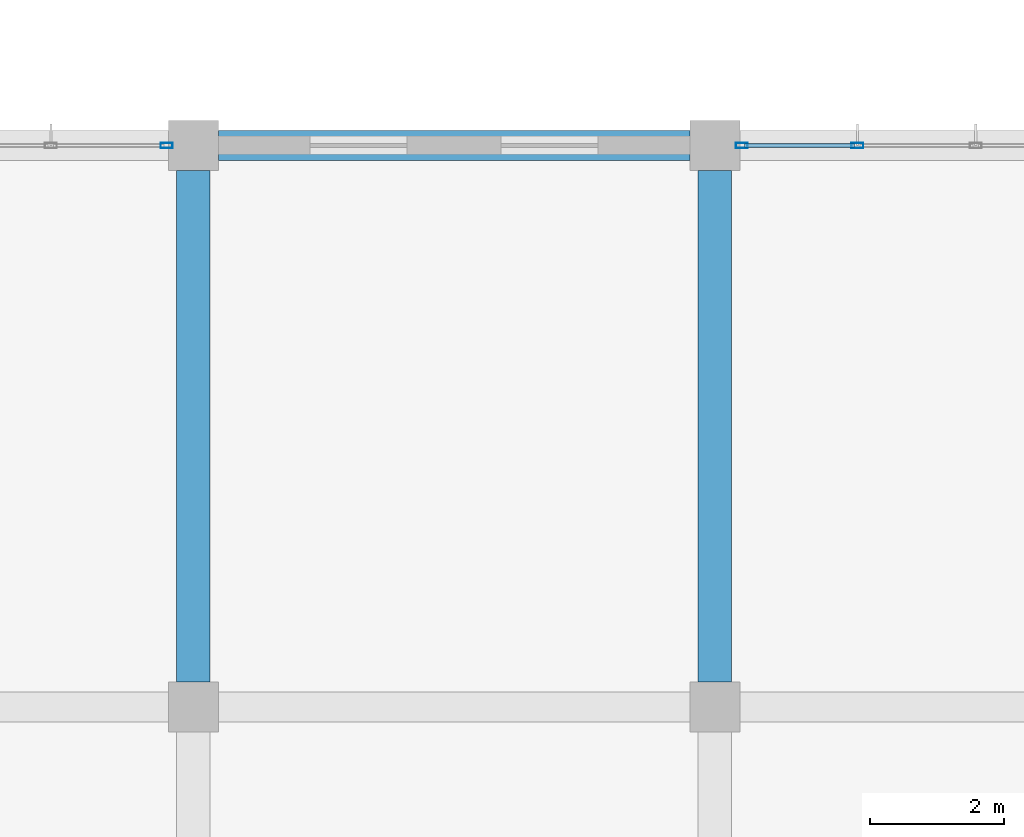
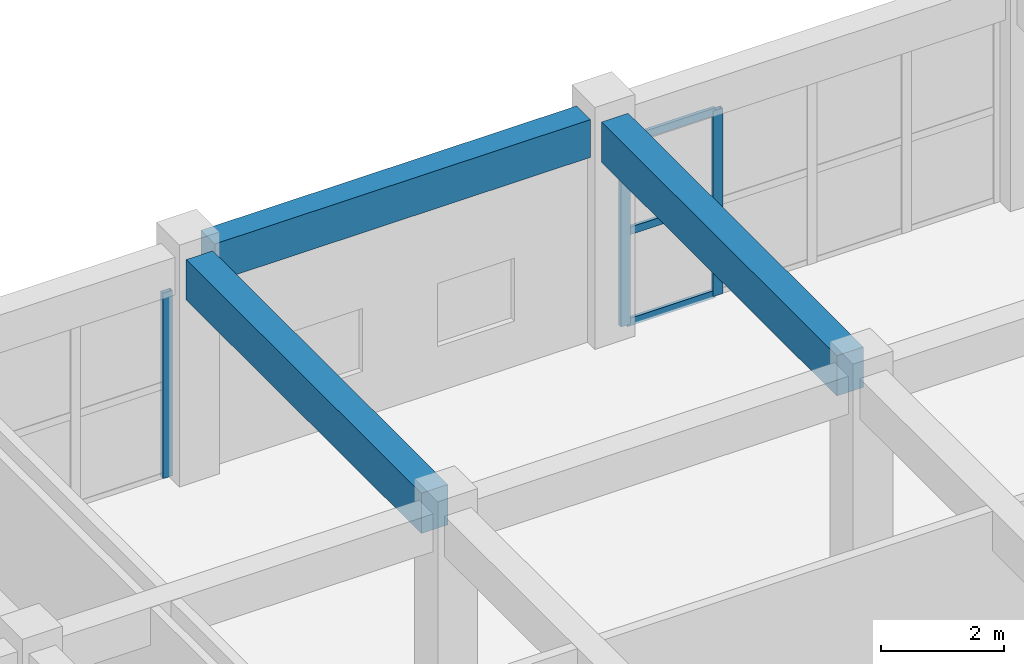
# One storey, part 126 of 175: 6 members, 3 beams, 2 elements without a shape of their own.
"""IFC4 building model written with IfcOpenShell, lengths in metres."""

from ifc_helpers import new_model, si_unit, direction, frame, origin, origin_2d, place, context, subcontext, project, spatial, rectangle, hollow_rectangle, extrude, material, layer, layer_set, material_profile, profile_set, type_object, element, aggregate, save


model = new_model("IFC4")

# Units and contexts
model_context = context("Model", 3, precision=1e-05, world=origin(), true_north=direction((0.0, 1.0)))
body_context = subcontext(model_context, "Body", "Model", "MODEL_VIEW")
ifc_project = project(units=[si_unit("LENGTHUNIT", "METRE"), si_unit("AREAUNIT", "SQUARE_METRE"), si_unit("VOLUMEUNIT", "CUBIC_METRE"), si_unit("PLANEANGLEUNIT", "RADIAN"), si_unit("MASSUNIT", "GRAM", prefix="KILO")], contexts=[model_context])

# Site, building, storey
site_placement = place(None, origin())
site = spatial("IfcSite", under=ifc_project, at=site_placement, CompositionType="ELEMENT")
building_placement = place(site_placement, origin())
building = spatial("IfcBuilding", under=site, at=building_placement, Name="Zizhar Promenade General Hospital", CompositionType="ELEMENT")
storey_placement = place(building_placement, frame((0.0, 0.0, 4.800048828125)))
storey = spatial("IfcBuildingStorey", under=building, at=storey_placement, Name="L01", CompositionType="ELEMENT", Elevation=4.800048828125)

# Beams
ifc_material_1 = material(Name="Concrete C35/45", Category="concrete")
ifc_material_profile_1 = material_profile(ifc_material_1, rectangle(XDim=0.449951171875, YDim=0.75, at=origin_2d()))
ifc_profile_set_1 = profile_set([ifc_material_profile_1], Name="Concrete C35/45")
beam_type_1 = type_object("IfcBeamType", Name="BM-RC-450x750", PredefinedType="BEAM", material=ifc_profile_set_1)
beam_placement = place(storey_placement, frame((93.97509765625, 134.39990234375, 4.094970703125), z_axis=(1.0, 0.0, 0.0), x_axis=(0.0, 1.0, 0.0)))
element("IfcBeam", 1, at=beam_placement, inside=storey, type_object=beam_type_1, Name="Grid Beam X L01 (12-16)", PredefinedType="BEAM", context=body_context, shape_type="SweptSolid", body=[
    extrude(rectangle(XDim=0.449951171875, YDim=0.75, at=origin_2d()), origin(), (0.0, 0.0, 1.0), 7.0498046875),
])
ifc_material_2 = material(Name="Concrete C35/45", Category="concrete")
ifc_material_profile_2 = material_profile(ifc_material_2, rectangle(XDim=0.5, YDim=0.800048828125, at=origin_2d()))
ifc_profile_set_2 = profile_set([ifc_material_profile_2], Name="Concrete C35/45")
beam_type_2 = type_object("IfcBeamType", Name="BM-RC-500x800", PredefinedType="BEAM", material=ifc_profile_set_2)
for number, where, z_axis, x_axis, name in (
    (2, (93.60009765625, 126.375, 4.070068359375), (0.0, 1.0, 0.0), (-1.0, 0.0, 0.0), "Grid Beam Y L01 (12-15)"),
    (3, (101.39990234375, 126.375, 4.070068359375), (0.0, 1.0, 0.0), (-1.0, 0.0, 0.0), "Grid Beam Y L01 (13-15)"),
):
    element("IfcBeam", number, at=place(storey_placement, frame(where, z_axis=z_axis, x_axis=x_axis)), inside=storey, type_object=beam_type_2, Name=name, PredefinedType="BEAM", context=body_context, shape_type="SweptSolid", body=[
        extrude(rectangle(XDim=0.5, YDim=0.800048828125, at=origin_2d()), origin(), (0.0, 0.0, 1.0), 7.64990234375),
    ])

# Curtain wall, member
ifc_material_3 = material(Name="Anodised aluminium 6063-T6 and low-E glass", Category="aluminium")
ifc_layer = layer(ifc_material_3, 0.159912109375)
ifc_layer_set = layer_set([ifc_layer], Name="Anodised aluminium 6063-T6 and low-E glass")
curtain_wall_type = type_object("IfcCurtainWallType", Name="CW-DT-MOD2", PredefinedType="NOTDEFINED", material=ifc_layer_set)
curtain_wall_1_placement = place(storey_placement, origin())
curtain_wall_1 = element("IfcCurtainWall", 4, at=curtain_wall_1_placement, inside=storey, type_object=curtain_wall_type, Name="Surgical North Glazed Curtain Wall L01-11", PredefinedType="NOTDEFINED")
ifc_material_4 = material(Name="Anodised aluminium 6063-T6", Category="aluminium")
ifc_material_profile_3 = material_profile(ifc_material_4, hollow_rectangle(XDim=0.080078125, YDim=0.179931640625, WallThickness=0.0048828125, at=origin_2d()))
ifc_profile_set_3 = profile_set([ifc_material_profile_3], Name="Anodised aluminium 6063-T6")
member_type_1 = type_object("IfcMemberType", Name="CWM-ALU-180x80", PredefinedType="MULLION", material=ifc_profile_set_3)
member_1_placement = place(storey_placement, frame((93.199951171875, 134.39990234375, 0.0), z_axis=(0.0, 0.0, 1.0), x_axis=(0.0, 1.0, 0.0)))
member_1 = element("IfcMember", 5, at=member_1_placement, type_object=member_type_1, Name="CW-08 mullion 5", PredefinedType="MULLION", context=body_context, shape_type="SweptSolid", body=[
    extrude(hollow_rectangle(XDim=0.080078125, YDim=0.179931640625, WallThickness=0.0048828125, at=origin_2d()), origin(), (0.0, 0.0, 1.0), 3.679931640625),
])
aggregate(curtain_wall_1, [member_1])

# Curtain wall, members
curtain_wall_2_placement = place(storey_placement, origin())
curtain_wall_2 = element("IfcCurtainWall", 6, at=curtain_wall_2_placement, inside=storey, type_object=curtain_wall_type, Name="Surgical North Glazed Curtain Wall L01-13", PredefinedType="NOTDEFINED")
member_2_placement = place(storey_placement, frame((101.800048828125, 134.39990234375, 0.0), z_axis=(0.0, 0.0, 1.0), x_axis=(0.0, 1.0, 0.0)))
member_2 = element("IfcMember", 7, at=member_2_placement, type_object=member_type_1, Name="CW-08 mullion 1", PredefinedType="MULLION", context=body_context, shape_type="SweptSolid", body=[
    extrude(hollow_rectangle(XDim=0.080078125, YDim=0.179931640625, WallThickness=0.0048828125, at=origin_2d()), origin(), (0.0, 0.0, 1.0), 3.679931640625),
])
member_3_placement = place(storey_placement, frame((103.530029296875, 134.39990234375, 0.0), z_axis=(0.0, 0.0, 1.0), x_axis=(0.0, 1.0, 0.0)))
member_3 = element("IfcMember", 8, at=member_3_placement, type_object=member_type_1, Name="CW-08 mullion 2", PredefinedType="MULLION", context=body_context, shape_type="SweptSolid", body=[
    extrude(hollow_rectangle(XDim=0.080078125, YDim=0.179931640625, WallThickness=0.0048828125, at=origin_2d()), origin(), (0.0, 0.0, 1.0), 3.679931640625),
])
ifc_material_5 = material(Name="Anodised aluminium 6063-T6", Category="aluminium")
ifc_material_profile_4 = material_profile(ifc_material_5, hollow_rectangle(XDim=0.06005859375, YDim=0.14990234375, WallThickness=0.00390625, at=origin_2d()))
ifc_profile_set_4 = profile_set([ifc_material_profile_4], Name="Anodised aluminium 6063-T6")
member_type_2 = type_object("IfcMemberType", Name="CWT-ALU-150x60", PredefinedType="USERDEFINED", material=ifc_profile_set_4)
member_4_placement = place(storey_placement, frame((101.840087890625, 134.39990234375, 0.030029296875), z_axis=(1.0, 0.0, 0.0), x_axis=(0.0, 1.0, 0.0)))
member_4 = element("IfcMember", 9, at=member_4_placement, type_object=member_type_2, Name="CW-08 transom 1.1", ObjectType="TRANSOM", PredefinedType="USERDEFINED", context=body_context, shape_type="SweptSolid", body=[
    extrude(hollow_rectangle(XDim=0.06005859375, YDim=0.14990234375, WallThickness=0.00390625, at=origin_2d()), origin(), (0.0, 0.0, 1.0), 1.64990234375),
])
member_5_placement = place(storey_placement, frame((101.840087890625, 134.39990234375, 1.83984375), z_axis=(1.0, 0.0, 0.0), x_axis=(0.0, 1.0, 0.0)))
member_5 = element("IfcMember", 10, at=member_5_placement, type_object=member_type_2, Name="CW-08 transom 1.2", ObjectType="TRANSOM", PredefinedType="USERDEFINED", context=body_context, shape_type="SweptSolid", body=[
    extrude(hollow_rectangle(XDim=0.06005859375, YDim=0.14990234375, WallThickness=0.00390625, at=origin_2d()), origin(), (0.0, 0.0, 1.0), 1.64990234375),
])
member_6_placement = place(storey_placement, frame((101.840087890625, 134.39990234375, 3.64990234375), z_axis=(1.0, 0.0, 0.0), x_axis=(0.0, 1.0, 0.0)))
member_6 = element("IfcMember", 11, at=member_6_placement, type_object=member_type_2, Name="CW-08 transom 1.3", ObjectType="TRANSOM", PredefinedType="USERDEFINED", context=body_context, shape_type="SweptSolid", body=[
    extrude(hollow_rectangle(XDim=0.06005859375, YDim=0.14990234375, WallThickness=0.00390625, at=origin_2d()), origin(), (0.0, 0.0, 1.0), 1.64990234375),
])
aggregate(curtain_wall_2, [member_2, member_3, member_4, member_5, member_6])

save(model, "model.ifc")
